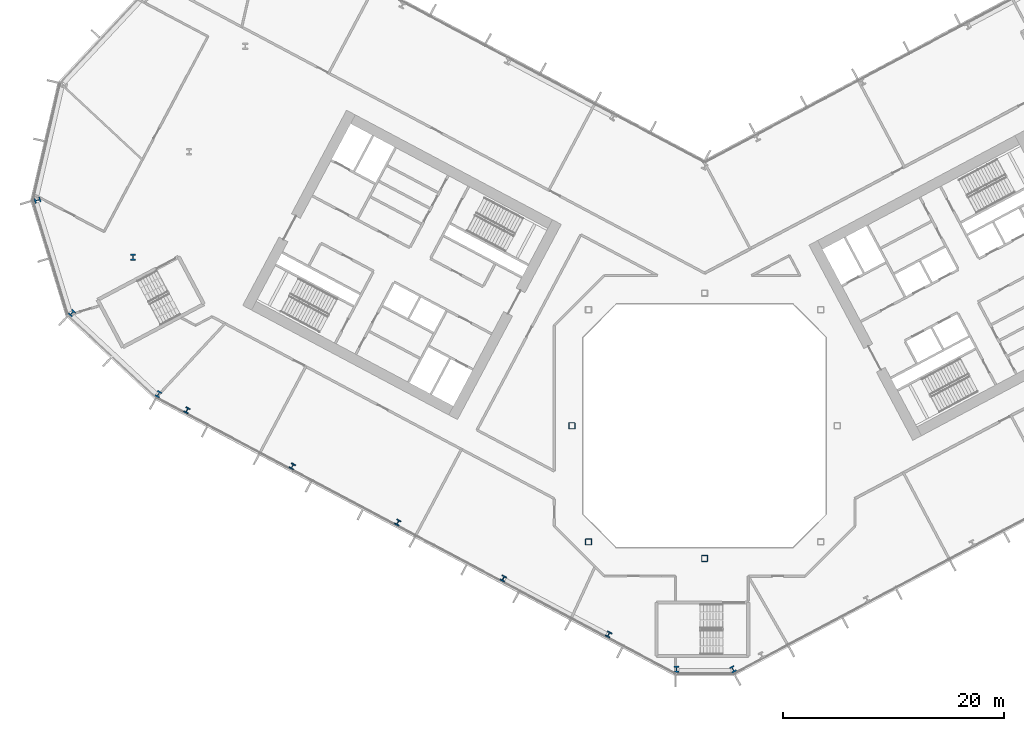
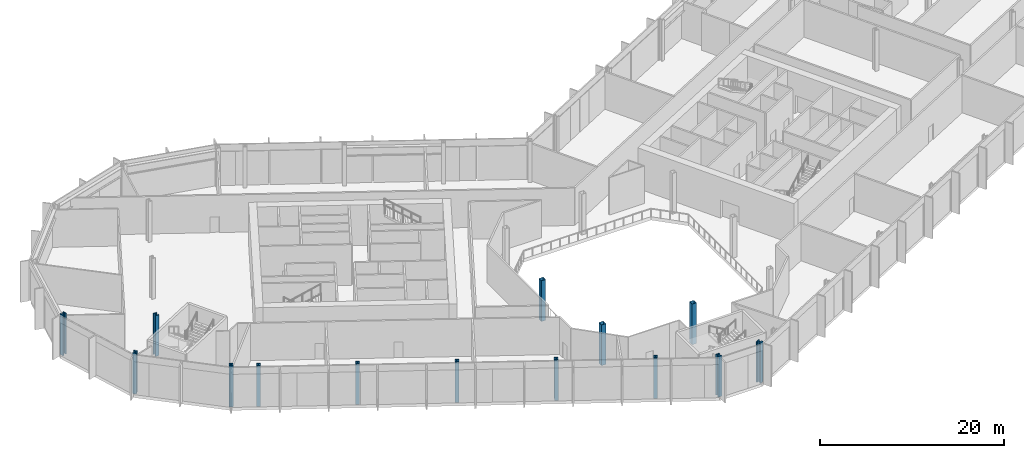
# One storey, part 1 of 32: 14 columns.
"""IFC4 building model written with IfcOpenShell, lengths in metres."""

from ifc_helpers import new_model, si_unit, direction, frame, origin, origin_2d, place, context, subcontext, project, spatial, hollow_rectangle, i_section, extrude, material, material_profile, profile_set, type_object, element, save


model = new_model("IFC4")

# Units and contexts
model_context = context("Model", 3, precision=1e-05, world=origin(), true_north=direction((0.0, 1.0)))
body_context = subcontext(model_context, "Body", "Model", "MODEL_VIEW")
ifc_project = project(units=[si_unit("LENGTHUNIT", "METRE"), si_unit("AREAUNIT", "SQUARE_METRE"), si_unit("VOLUMEUNIT", "CUBIC_METRE"), si_unit("PLANEANGLEUNIT", "RADIAN"), si_unit("MASSUNIT", "GRAM", prefix="KILO")], contexts=[model_context])

# Site, building, storey
site_placement = place(None, origin())
site = spatial("IfcSite", under=ifc_project, at=site_placement, CompositionType="ELEMENT")
building_placement = place(site_placement, origin())
building = spatial("IfcBuilding", under=site, at=building_placement, Name="Cormorant Relay Tower", CompositionType="ELEMENT")
storey_placement = place(building_placement, frame((0.0, 0.0, 39.199951171875)))
storey = spatial("IfcBuildingStorey", under=building, at=storey_placement, Name="L07", CompositionType="ELEMENT", Elevation=39.199951171875)

# Columns
ifc_material_1 = material(Name="Steel ASTM A1085 Grade A (Fy 345 MPa)", Category="steel")
ifc_material_profile_1 = material_profile(ifc_material_1, hollow_rectangle(XDim=0.558837890625, YDim=0.558837890625, WallThickness=0.023681640625, InnerFilletRadius=0.01171875, OuterFilletRadius=0.035400390625, at=origin_2d()), Name="HSS559x559x24")
ifc_profile_set_1 = profile_set([ifc_material_profile_1], Name="Steel ASTM A1085 Grade A (Fy 345 MPa)")
column_type_1 = type_object("IfcColumnType", Name="Column HSS559x559x24", PredefinedType="COLUMN", material=ifc_profile_set_1)
for number, where, z_axis, x_axis, name in (
    (1, (0.0, -12.0, 0.0), (0.0, 0.0, 1.0), (1.0, 0.0, 0.0), "Column L07-007"),
    (2, (-10.5, -10.5, 0.0), (0.0, 0.0, 1.0), (1.0, 0.0, 0.0), "Column L07-009"),
    (3, (-12.0, 0.0, 0.0), (0.0, 0.0, 1.0), (1.0, 0.0, 0.0), "Column L07-015"),
):
    element("IfcColumn", number, at=place(storey_placement, frame(where, z_axis=z_axis, x_axis=x_axis)), inside=storey, type_object=column_type_1, Name=name, PredefinedType="COLUMN", context=body_context, shape_type="SweptSolid", body=[
        extrude(hollow_rectangle(XDim=0.558837890625, YDim=0.558837890625, WallThickness=0.023681640625, InnerFilletRadius=0.01171875, OuterFilletRadius=0.035400390625, at=origin_2d()), origin(), (0.0, 0.0, 1.0), 5.400146484375),
    ])
ifc_material_2 = material(Name="Steel ASTM A992 (Fy 345 MPa)", Category="steel")
ifc_material_profile_2 = material_profile(ifc_material_2, i_section(OverallWidth=0.45458984375, OverallDepth=0.569091796875, WebThickness=0.077880859375, FlangeThickness=0.124755859375, FilletRadius=0.015380859375, at=origin_2d()), Name="W360x1086")
ifc_profile_set_2 = profile_set([ifc_material_profile_2], Name="Steel ASTM A992 (Fy 345 MPa)")
column_type_2 = type_object("IfcColumnType", Name="Column W360x1086", PredefinedType="COLUMN", material=ifc_profile_set_2)
for number, where, z_axis, x_axis, name in (
    (4, (-2.55908203125, -22.01708984375, 0.0), (0.0, 0.0, 1.0), (1.0, 0.0, 0.0), "Column L07-001"),
    (5, (2.55908203125, -22.01708984375, 0.0), (0.0, 0.0, 1.0), (0.882947592859, 0.469471562786, 0.0), "Column L07-002"),
    (6, (-49.39404296875, 2.861083984375, 0.0), (0.0, 0.0, 1.0), (0.882947592859, -0.469471562786, 0.0), "Column L07-018"),
    (7, (-57.218994140625, 10.198974609375, 0.0), (0.0, 0.0, 1.0), (0.731353701619, -0.681998360062, 0.0), "Column L07-021"),
    (8, (-51.68994140625, 15.251953125, 0.0), (0.0, 0.0, 1.0), (1.0, 0.0, 0.0), "Column L07-027"),
    (9, (-60.340087890625, 20.406982421875, 0.0), (0.0, 0.0, 1.0), (0.292371704723, -0.956304755963, 0.0), "Column L07-030"),
):
    element("IfcColumn", number, at=place(storey_placement, frame(where, z_axis=z_axis, x_axis=x_axis)), inside=storey, type_object=column_type_2, Name=name, PredefinedType="COLUMN", context=body_context, shape_type="SweptSolid", body=[
        extrude(i_section(OverallWidth=0.45458984375, OverallDepth=0.569091796875, WebThickness=0.077880859375, FlangeThickness=0.124755859375, FilletRadius=0.015380859375, at=origin_2d()), origin(), (0.0, 0.0, 1.0), 5.400146484375),
    ])
ifc_material_3 = material(Name="Steel ASTM A992 (Fy 345 MPa)", Category="steel")
ifc_material_profile_3 = material_profile(ifc_material_3, i_section(OverallWidth=0.43701171875, OverallDepth=0.51318359375, WebThickness=0.060546875, FlangeThickness=0.096923828125, FilletRadius=0.015380859375, at=origin_2d()), Name="W360x818")
ifc_profile_set_3 = profile_set([ifc_material_profile_3], Name="Steel ASTM A992 (Fy 345 MPa)")
column_type_3 = type_object("IfcColumnType", Name="Column W360x818", PredefinedType="COLUMN", material=ifc_profile_set_3)
for number, where, z_axis, x_axis, name in (
    (10, (-8.677001953125, -18.8759765625, 0.0), (0.0, 0.0, 1.0), (0.882947592859, -0.469471562786, 0.0), "Column L07-004"),
    (11, (-18.212890625, -13.804931640625, 0.0), (0.0, 0.0, 1.0), (0.882947592859, -0.469471562786, 0.0), "Column L07-006"),
    (12, (-27.7490234375, -8.735107421875, 0.0), (0.0, 0.0, 1.0), (0.882947592859, -0.469471562786, 0.0), "Column L07-011"),
    (13, (-37.284912109375, -3.6650390625, 0.0), (0.0, 0.0, 1.0), (0.882947592859, -0.469471562786, 0.0), "Column L07-013"),
    (14, (-46.821044921875, 1.405029296875, 0.0), (0.0, 0.0, 1.0), (0.882947592859, -0.469471562786, 0.0), "Column L07-017"),
):
    element("IfcColumn", number, at=place(storey_placement, frame(where, z_axis=z_axis, x_axis=x_axis)), inside=storey, type_object=column_type_3, Name=name, PredefinedType="COLUMN", context=body_context, shape_type="SweptSolid", body=[
        extrude(i_section(OverallWidth=0.43701171875, OverallDepth=0.51318359375, WebThickness=0.060546875, FlangeThickness=0.096923828125, FilletRadius=0.015380859375, at=origin_2d()), origin(), (0.0, 0.0, 1.0), 5.400146484375),
    ])

save(model, "model.ifc")
